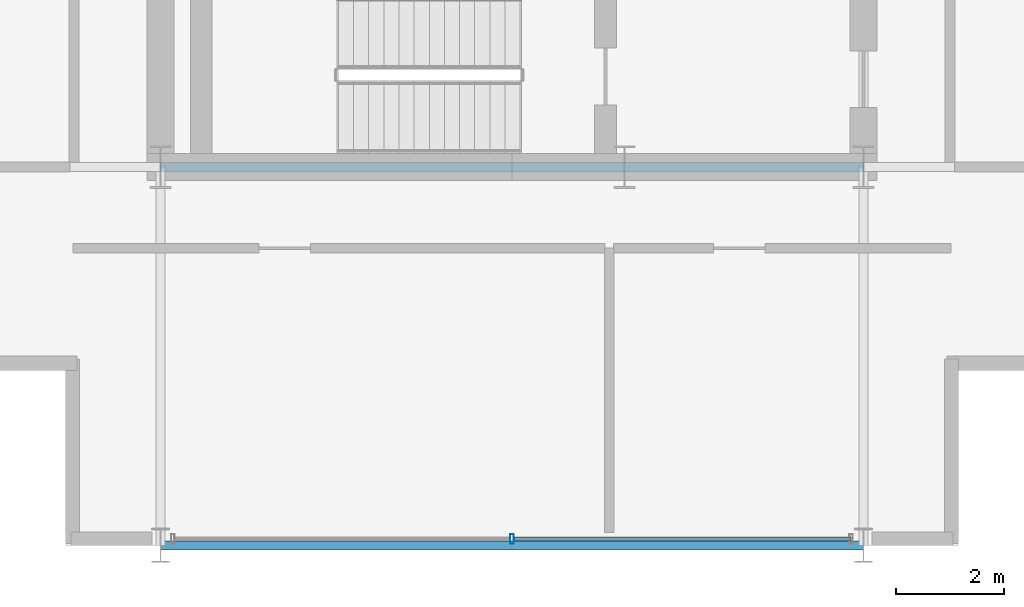
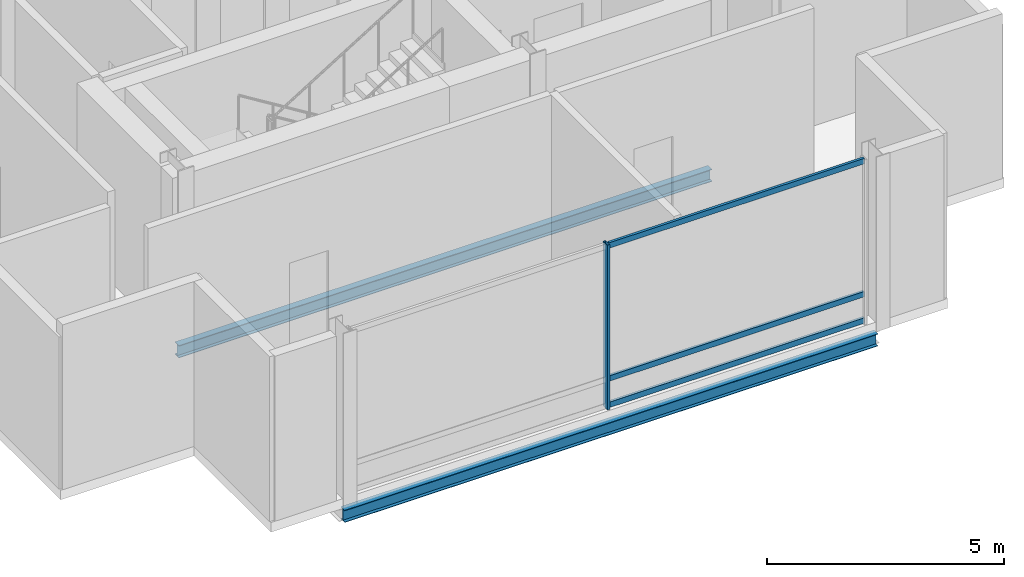
# One storey, part 3 of 10: 4 members, 2 beams, 1 element without a shape of its own.
"""IFC4 building model written with IfcOpenShell, lengths in metres."""

import ifcopenshell
import ifcopenshell.guid

model = None  # the IFC model being written
_history = None  # IfcOwnerHistory: only IFC2X3 demands one
_inside = {}  # id of a spatial element -> (the spatial element, [elements in it])
_under = {}  # id of a project, library or spatial element -> (it, [spatial elements below it])
_declared = {}  # id of a project -> (the project, [libraries it declares])
_typed = {}  # id of a type object -> (the type object, [elements of that type])
_made_of = {}  # id of a material, layer set ... -> (it, [elements and type objects made of it])


def new_model(schema):
    """Start an empty IFC model of exactly this schema.

    Asked for "IFC4X3", IfcOpenShell would pick the latest addendum, in which some entities
    have other attributes; the version numbers below select the first issue.
    IFC2X3 requires an IfcOwnerHistory on every rooted entity: one is made here for all.
    """
    global model, _history
    if schema == "IFC4X3":
        model = ifcopenshell.file(schema_version=(4, 3, 0, 0))
    else:
        model = ifcopenshell.file(schema=schema)
    _inside.clear()
    _under.clear()
    _declared.clear()
    _typed.clear()
    _made_of.clear()
    _history = None
    if model.schema == "IFC2X3":
        org = make("IfcOrganization", Name="unknown")
        user = make(
            "IfcPersonAndOrganization",
            ThePerson=make("IfcPerson", FamilyName="unknown"),
            TheOrganization=org,
        )
        app = make(
            "IfcApplication",
            ApplicationDeveloper=org,
            Version="unknown",
            ApplicationFullName="unknown",
            ApplicationIdentifier="unknown",
        )
        _history = make(
            "IfcOwnerHistory",
            OwningUser=user,
            OwningApplication=app,
            ChangeAction="ADDED",
            CreationDate=0,
        )
    return model


def make(cls, **values):
    """One entity of the class cls with the attributes given. An attribute that is None is left unset."""
    return model.create_entity(
        cls, **{name: value for name, value in values.items() if value is not None}
    )


def rooted(cls, **values):
    """An entity with a GlobalId (a new one), such as an element, a storey or a relation."""
    return make(cls, GlobalId=ifcopenshell.guid.new(), OwnerHistory=_history, **values)


def si_unit(unit_type, name, prefix=None):
    """IfcSIUnit, for example si_unit("LENGTHUNIT", "METRE", prefix="MILLI")."""
    return make("IfcSIUnit", UnitType=unit_type, Prefix=prefix, Name=name)


def assignment(units):
    """IfcUnitAssignment: the units of a project."""
    return None if units is None else make("IfcUnitAssignment", Units=units)


def point(xyz):
    """IfcCartesianPoint."""
    return None if xyz is None else make("IfcCartesianPoint", Coordinates=xyz)


def direction(xyz):
    """IfcDirection."""
    return None if xyz is None else make("IfcDirection", DirectionRatios=xyz)


def frame(location, z_axis=None, x_axis=None):
    """IfcAxis2Placement3D, a coordinate frame: its origin and axes. An axis left out is left unset."""
    return make(
        "IfcAxis2Placement3D",
        Location=point(location),
        Axis=direction(z_axis),
        RefDirection=direction(x_axis),
    )


def frame_2d(location, x_axis=None):
    """IfcAxis2Placement2D, a coordinate frame in the plane: its origin and x axis."""
    return make(
        "IfcAxis2Placement2D", Location=point(location), RefDirection=direction(x_axis)
    )


def origin():
    """The frame at (0, 0, 0) with its axes left unset."""
    return frame((0.0, 0.0, 0.0))


def origin_2d():
    """The frame at (0, 0) in the plane with its x axis left unset."""
    return frame_2d((0.0, 0.0))


def place(relative_to, where):
    """IfcLocalPlacement: puts the frame where relative to a parent placement (None: the world)."""
    return make(
        "IfcLocalPlacement", PlacementRelTo=relative_to, RelativePlacement=where
    )


def context(
    kind, dimensions, precision=None, world=None, true_north=None, identifier=None
):
    """IfcGeometricRepresentationContext, for example the 3D "Model" context."""
    return make(
        "IfcGeometricRepresentationContext",
        ContextIdentifier=identifier,
        ContextType=kind,
        CoordinateSpaceDimension=dimensions,
        Precision=precision,
        WorldCoordinateSystem=world,
        TrueNorth=true_north,
    )


def subcontext(parent, identifier, kind, view, scale=None):
    """IfcGeometricRepresentationSubContext, for example "Body" below "Model"."""
    return make(
        "IfcGeometricRepresentationSubContext",
        ContextIdentifier=identifier,
        ContextType=kind,
        ParentContext=parent,
        TargetScale=scale,
        TargetView=view,
    )


def project(units=None, contexts=None):
    """IfcProject with its units and contexts."""
    return rooted(
        "IfcProject",
        Name="project",
        RepresentationContexts=contexts,
        UnitsInContext=assignment(units),
    )


def spatial(cls, under=None, at=None, **own):
    """A site, building, storey or space (cls), placed at a placement, below another one or the project."""
    s = rooted(cls, ObjectPlacement=at, **own)
    if under is not None:
        _under.setdefault(under.id(), (under, []))[1].append(s)
    return s


def profile(cls, at=None, kind="AREA", **sizes):
    """A parametric profile (cls). Its sizes go by their IFC names, for example OverallWidth=200.0."""
    return make(cls, ProfileType=kind, Position=at, **sizes)


def hollow_rectangle(**sizes):
    """IfcRectangleHollowProfileDef."""
    return profile("IfcRectangleHollowProfileDef", **sizes)


def i_section(**sizes):
    """IfcIShapeProfileDef."""
    return profile("IfcIShapeProfileDef", **sizes)


def extrude(swept, where, along, depth):
    """IfcExtrudedAreaSolid: the profile swept, set in the frame where, extruded along a direction by depth."""
    return make(
        "IfcExtrudedAreaSolid",
        SweptArea=swept,
        Position=where,
        ExtrudedDirection=direction(along),
        Depth=depth,
    )


def shape(context_of_items, identifier, shape_type, items):
    """IfcShapeRepresentation: the items that make up one representation, for example the "Body"."""
    return make(
        "IfcShapeRepresentation",
        ContextOfItems=context_of_items,
        RepresentationIdentifier=identifier,
        RepresentationType=shape_type,
        Items=items,
    )


def material(Name=None, Category=None):
    """IfcMaterial."""
    return make("IfcMaterial", Name=Name, Category=Category)


def layer(
    of_material, thickness, ventilated=None, Name=None, Category=None, Priority=None
):
    """IfcMaterialLayer: one layer of a wall or slab, of a material (None: an air gap)."""
    return make(
        "IfcMaterialLayer",
        Material=of_material,
        LayerThickness=thickness,
        IsVentilated=ventilated,
        Name=Name,
        Category=Category,
        Priority=Priority,
    )


def layer_set(layers, Name=None):
    """IfcMaterialLayerSet."""
    return make("IfcMaterialLayerSet", MaterialLayers=layers, LayerSetName=Name)


def material_profile(
    of_material, cross_section, Name=None, Category=None, Priority=None
):
    """IfcMaterialProfile: a cross section and its material."""
    return make(
        "IfcMaterialProfile",
        Name=Name,
        Material=of_material,
        Profile=cross_section,
        Priority=Priority,
        Category=Category,
    )


def profile_set(profiles, Name=None, composite=None):
    """IfcMaterialProfileSet."""
    return make(
        "IfcMaterialProfileSet",
        Name=Name,
        MaterialProfiles=profiles,
        CompositeProfile=composite,
    )


def made_of(thing, what):
    """Note that an element or type object is made of a material, layer set ...; save() writes the relation."""
    if what is not None:
        _made_of.setdefault(what.id(), (what, []))[1].append(thing)
    return thing


def type_object(cls, material=None, **own):
    """A type object (cls), such as IfcWallType, which elements share."""
    return made_of(rooted(cls, **own), material)


def element(
    cls,
    number,
    at=None,
    inside=None,
    cuts=None,
    type_object=None,
    material=None,
    context=None,
    identifier="Body",
    shape_type=None,
    held_by="IfcProductDefinitionShape",
    body=None,
    shapes=None,
    **own,
):
    """One element of the class cls, such as IfcWall. Its Tag is "e" and its number.

    at: its placement. inside: the storey or other place that contains it. cuts: it is an
    opening in that element (IfcRelVoidsElement). A single representation is given by context,
    identifier, shape_type and body (its items); several are given by shapes. held_by: the class
    of the entity that holds the representations. save() writes the other relations.
    """
    e = rooted(cls, Tag="e%d" % number, ObjectPlacement=at, **own)
    if body is not None:
        shapes = [shape(context, identifier, shape_type, body)]
    if shapes is not None:
        e.Representation = make(held_by, Representations=shapes)
    if inside is not None:
        _inside.setdefault(inside.id(), (inside, []))[1].append(e)
    if cuts is not None:
        rooted(
            "IfcRelVoidsElement", RelatingBuildingElement=cuts, RelatedOpeningElement=e
        )
    if type_object is not None:
        _typed.setdefault(type_object.id(), (type_object, []))[1].append(e)
    return made_of(e, material)


def aggregate(whole, parts):
    """IfcRelAggregates: a whole, such as a stair, and the parts it consists of."""
    return rooted("IfcRelAggregates", RelatingObject=whole, RelatedObjects=parts)


def save(model, path):
    """Write the relations noted so far, then the file.

    IfcRelAggregates (storeys below a building ...), IfcRelContainedInSpatialStructure (elements
    in a storey), IfcRelDefinesByType, IfcRelAssociatesMaterial and IfcRelDeclares: one each for
    every whole, place, type object, material and project.
    """
    for whole, parts in _under.values():
        aggregate(whole, parts)
    for where, things in _inside.values():
        rooted(
            "IfcRelContainedInSpatialStructure",
            RelatedElements=things,
            RelatingStructure=where,
        )
    for kind, things in _typed.values():
        rooted("IfcRelDefinesByType", RelatedObjects=things, RelatingType=kind)
    for what, things in _made_of.values():
        rooted("IfcRelAssociatesMaterial", RelatedObjects=things, RelatingMaterial=what)
    for by, libraries in _declared.values():
        rooted("IfcRelDeclares", RelatingContext=by, RelatedDefinitions=libraries)
    model.write(path)


model = new_model("IFC4")

# Units and contexts
model_context = context("Model", 3, precision=1e-05, world=origin(), true_north=direction((0.0, 1.0)))
body_context = subcontext(model_context, "Body", "Model", "MODEL_VIEW")
ifc_project = project(units=[si_unit("LENGTHUNIT", "METRE"), si_unit("AREAUNIT", "SQUARE_METRE"), si_unit("VOLUMEUNIT", "CUBIC_METRE"), si_unit("PLANEANGLEUNIT", "RADIAN"), si_unit("MASSUNIT", "GRAM", prefix="KILO")], contexts=[model_context])

# Site, building, storey
site_placement = place(None, origin())
site = spatial("IfcSite", under=ifc_project, at=site_placement, CompositionType="ELEMENT")
building_placement = place(site_placement, origin())
building = spatial("IfcBuilding", under=site, at=building_placement, Name="Barlavira Tower and Art Museum", CompositionType="ELEMENT")
storey_placement = place(building_placement, frame((0.0, 0.0, 314.39990234375)))
storey = spatial("IfcBuildingStorey", under=building, at=storey_placement, Name="L82", CompositionType="ELEMENT", Elevation=314.39990234375)

# Beams
ifc_material_1 = material(Name="Steel S355", Category="steel")
ifc_material_profile_1 = material_profile(ifc_material_1, i_section(OverallWidth=0.1669921875, OverallDepth=0.31689453125, WebThickness=0.007568359375, FlangeThickness=0.01318359375, at=origin_2d()), Name="W310x52.0")
ifc_profile_set_1 = profile_set([ifc_material_profile_1], Name="Steel S355")
beam_type = type_object("IfcBeamType", Name="Crown Floor Joist W310x52 Steel S355", PredefinedType="JOIST", material=ifc_profile_set_1)
for number, where, z_axis, x_axis, name in (
    (1, (-6.5, -14.5, -0.408447265625), (1.0, 0.0, 0.0), (0.0, 1.0, 0.0), "L82 Crown Ring Beam CS"),
    (2, (-6.5, -7.5, -0.408447265625), (1.0, 0.0, 0.0), (0.0, 1.0, 0.0), "L82 Crown Ring Beam CI1"),
):
    element("IfcBeam", number, at=place(storey_placement, frame(where, z_axis=z_axis, x_axis=x_axis)), inside=storey, type_object=beam_type, Name=name, PredefinedType="JOIST", context=body_context, shape_type="SweptSolid", body=[
        extrude(i_section(OverallWidth=0.1669921875, OverallDepth=0.31689453125, WebThickness=0.007568359375, FlangeThickness=0.01318359375, at=origin_2d()), origin(), (0.0, 0.0, 1.0), 13.0),
    ])

# Curtain wall, members
ifc_material_2 = material(Name="Low-iron coastal laminated glass", Category="glass")
ifc_layer = layer(ifc_material_2, 0.22998046875, Name="Low-iron coastal laminated glass")
ifc_layer_set = layer_set([ifc_layer], Name="Low-iron coastal laminated glass")
curtain_wall_type = type_object("IfcCurtainWallType", Name="Winter-Garden Conservatory Glazed Curtain Wall", PredefinedType="NOTDEFINED", material=ifc_layer_set)
curtain_wall_placement = place(storey_placement, origin())
curtain_wall = element("IfcCurtainWall", 3, at=curtain_wall_placement, inside=storey, type_object=curtain_wall_type, Name="L82 Curtain Wall CW7-L82-S-B2", PredefinedType="NOTDEFINED")
ifc_material_3 = material(Name="Pale anodised aluminium", Category="aluminium")
ifc_material_profile_2 = material_profile(ifc_material_3, hollow_rectangle(XDim=0.06494140625, YDim=0.179931640625, WallThickness=0.00390625, at=origin_2d()), Name="ALU-MULL 65x180x4")
ifc_profile_set_2 = profile_set([ifc_material_profile_2], Name="Pale anodised aluminium")
member_type_1 = type_object("IfcMemberType", Name="Curtain Wall Pale-Metal Mullion 65x180", PredefinedType="MULLION", material=ifc_profile_set_2)
member_1_placement = place(storey_placement, frame((0.0, -14.3798828125, 0.0), z_axis=(0.0, 0.0, 1.0), x_axis=(1.0, 0.0, 0.0)))
member_1 = element("IfcMember", 4, at=member_1_placement, type_object=member_type_1, Name="CW7-L82-S-B2 Mullion 1", PredefinedType="MULLION", context=body_context, shape_type="SweptSolid", body=[
    extrude(hollow_rectangle(XDim=0.06494140625, YDim=0.179931640625, WallThickness=0.00390625, at=origin_2d()), origin(), (0.0, 0.0, 1.0), 4.25),
])
ifc_material_profile_3 = material_profile(ifc_material_3, hollow_rectangle(XDim=0.06494140625, YDim=0.139892578125, WallThickness=0.00390625, at=origin_2d()), Name="ALU-TRAN 65x140x4")
ifc_profile_set_3 = profile_set([ifc_material_profile_3], Name="Pale anodised aluminium")
member_type_2 = type_object("IfcMemberType", Name="Curtain Wall Pale-Metal Transom 65x140", PredefinedType="USERDEFINED", material=ifc_profile_set_3)
member_2_placement = place(storey_placement, frame((0.044921875, -14.3798828125, 0.070068359375), z_axis=(1.0, 0.0, 0.0), x_axis=(0.0, 1.0, 0.0)))
member_2 = element("IfcMember", 5, at=member_2_placement, type_object=member_type_2, Name="CW7-L82-S-B2 Transom 1.1", ObjectType="TRANSOM", PredefinedType="USERDEFINED", context=body_context, shape_type="SweptSolid", body=[
    extrude(hollow_rectangle(XDim=0.06494140625, YDim=0.139892578125, WallThickness=0.00390625, at=origin_2d()), origin(), (0.0, 0.0, 1.0), 6.22607421875),
])
member_3_placement = place(storey_placement, frame((0.044921875, -14.3798828125, 0.75), z_axis=(1.0, 0.0, 0.0), x_axis=(0.0, 1.0, 0.0)))
member_3 = element("IfcMember", 6, at=member_3_placement, type_object=member_type_2, Name="CW7-L82-S-B2 Transom 1.2", ObjectType="TRANSOM", PredefinedType="USERDEFINED", context=body_context, shape_type="SweptSolid", body=[
    extrude(hollow_rectangle(XDim=0.06494140625, YDim=0.139892578125, WallThickness=0.00390625, at=origin_2d()), origin(), (0.0, 0.0, 1.0), 6.22607421875),
])
member_4_placement = place(storey_placement, frame((0.044921875, -14.3798828125, 4.18017578125), z_axis=(1.0, 0.0, 0.0), x_axis=(0.0, 1.0, 0.0)))
member_4 = element("IfcMember", 7, at=member_4_placement, type_object=member_type_2, Name="CW7-L82-S-B2 Transom 1.3", ObjectType="TRANSOM", PredefinedType="USERDEFINED", context=body_context, shape_type="SweptSolid", body=[
    extrude(hollow_rectangle(XDim=0.06494140625, YDim=0.139892578125, WallThickness=0.00390625, at=origin_2d()), origin(), (0.0, 0.0, 1.0), 6.22607421875),
])
aggregate(curtain_wall, [member_1, member_2, member_3, member_4])

save(model, "model.ifc")
